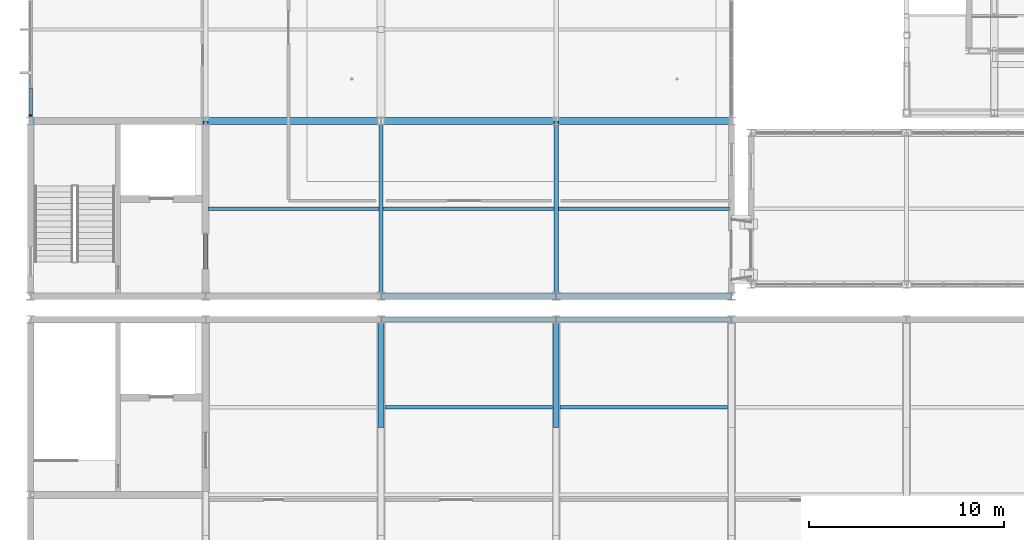
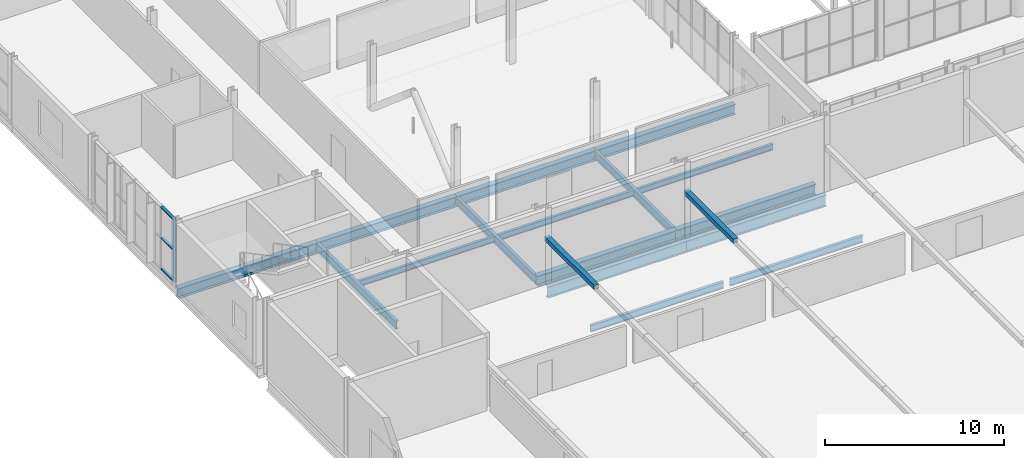
# One storey, part 28 of 134: 16 beams, 6 members, 1 element without a shape of its own.
"""IFC4 building model written with IfcOpenShell, lengths in metres."""

from ifc_helpers import new_model, si_unit, direction, frame, origin, origin_2d, place, context, subcontext, project, spatial, rectangle, hollow_rectangle, i_section, extrude, material, layer, layer_set, material_profile, profile_set, type_object, element, aggregate, save


model = new_model("IFC4")

# Units and contexts
model_context = context("Model", 3, precision=1e-05, world=origin(), true_north=direction((0.0, 1.0)))
body_context = subcontext(model_context, "Body", "Model", "MODEL_VIEW")
ifc_project = project(units=[si_unit("LENGTHUNIT", "METRE"), si_unit("AREAUNIT", "SQUARE_METRE"), si_unit("VOLUMEUNIT", "CUBIC_METRE"), si_unit("PLANEANGLEUNIT", "RADIAN"), si_unit("MASSUNIT", "GRAM", prefix="KILO")], contexts=[model_context])

# Site, building, storey
site_placement = place(None, origin())
site = spatial("IfcSite", under=ifc_project, at=site_placement, CompositionType="ELEMENT")
building_placement = place(site_placement, origin())
building = spatial("IfcBuilding", under=site, at=building_placement, Name="Cazmaro Siding Exhibition Halls", CompositionType="ELEMENT")
storey_placement = place(building_placement, frame((0.0, 0.0, 12.0)))
storey = spatial("IfcBuildingStorey", under=building, at=storey_placement, Name="L02", CompositionType="ELEMENT", Elevation=12.0)

# Beams
ifc_material_1 = material(Name="Steel ASTM A992 Grade 50", Category="steel")
ifc_material_profile_1 = material_profile(ifc_material_1, i_section(OverallWidth=0.214111328125, OverallDepth=0.549072265625, WebThickness=0.014892578125, FlangeThickness=0.02392578125, at=origin_2d()), Name="W21X93")
ifc_profile_set_1 = profile_set([ifc_material_profile_1], Name="Steel ASTM A992 Grade 50")
beam_type_1 = type_object("IfcBeamType", Name="B-01", PredefinedType="BEAM", material=ifc_profile_set_1)
for number, where, z_axis, x_axis, name in (
    (1, (9.0, 54.60009765625, -0.4951171875), (0.0, 1.0, 0.0), (-1.0, 0.0, 0.0), "Beam B-01 BM-2124"),
    (2, (18.0, 54.60009765625, -0.4951171875), (0.0, 1.0, 0.0), (-1.0, 0.0, 0.0), "Beam B-01 BM-2132"),
    (3, (27.0, 54.60009765625, -0.4951171875), (0.0, 1.0, 0.0), (-1.0, 0.0, 0.0), "Beam B-01 BM-2140"),
):
    element("IfcBeam", number, at=place(storey_placement, frame(where, z_axis=z_axis, x_axis=x_axis)), inside=storey, type_object=beam_type_1, Name=name, PredefinedType="BEAM", context=body_context, shape_type="SweptSolid", body=[
        extrude(i_section(OverallWidth=0.214111328125, OverallDepth=0.549072265625, WebThickness=0.014892578125, FlangeThickness=0.02392578125, at=origin_2d()), origin(), (0.0, 0.0, 1.0), 9.0),
    ])
ifc_material_2 = material(Name="Steel ASTM A992 Grade 50", Category="steel")
ifc_material_profile_2 = material_profile(ifc_material_2, i_section(OverallWidth=0.26708984375, OverallDepth=0.779052734375, WebThickness=0.01708984375, FlangeThickness=0.02490234375, at=origin_2d()), Name="W30X148")
ifc_profile_set_2 = profile_set([ifc_material_profile_2], Name="Steel ASTM A992 Grade 50")
beam_type_2 = type_object("IfcBeamType", Name="B-05", PredefinedType="BEAM", material=ifc_profile_set_2)
for number, where, z_axis, x_axis, name in (
    (4, (36.0, 53.39990234375, -0.638916015625), (-1.0, 0.0, 0.0), (0.0, -1.0, 0.0), "Beam B-05 BM-1754"),
    (5, (27.0, 53.39990234375, -0.638916015625), (-1.0, 0.0, 0.0), (0.0, -1.0, 0.0), "Beam B-05 BM-1756"),
):
    element("IfcBeam", number, at=place(storey_placement, frame(where, z_axis=z_axis, x_axis=x_axis)), inside=storey, type_object=beam_type_2, Name=name, PredefinedType="BEAM", context=body_context, shape_type="SweptSolid", body=[
        extrude(i_section(OverallWidth=0.26708984375, OverallDepth=0.779052734375, WebThickness=0.01708984375, FlangeThickness=0.02490234375, at=origin_2d()), origin(), (0.0, 0.0, 1.0), 9.0),
    ])

# Curtain wall, members
ifc_material_3 = material(Name="Anodized Bronze Aluminum and Solar-Control Low-E Glazing", Category="aluminium")
ifc_layer = layer(ifc_material_3, 0.199951171875)
ifc_layer_set = layer_set([ifc_layer], Name="Anodized Bronze Aluminum and Solar-Control Low-E Glazing")
curtain_wall_type = type_object("IfcCurtainWallType", Name="CWS-02", PredefinedType="USERDEFINED", material=ifc_layer_set)
curtain_wall_placement = place(storey_placement, origin())
curtain_wall = element("IfcCurtainWall", 6, at=curtain_wall_placement, inside=storey, type_object=curtain_wall_type, Name="Glazed Curtain Wall CWS-02 CW-236", ObjectType="GLAZED CURTAIN WALL", PredefinedType="USERDEFINED")
ifc_material_4 = material(Name="Anodized Bronze Extruded Aluminum", Category="aluminium")
ifc_material_profile_3 = material_profile(ifc_material_4, rectangle(XDim=0.199951171875, YDim=0.06494140625, at=origin_2d()), Name="CWM-02")
ifc_profile_set_3 = profile_set([ifc_material_profile_3], Name="Anodized Bronze Extruded Aluminum")
member_type_1 = type_object("IfcMemberType", Name="CWM-02", PredefinedType="MULLION", material=ifc_profile_set_3)
member_1_placement = place(storey_placement, frame((0.0, 63.87744140625, 0.0), z_axis=(0.0, 0.0, 1.0), x_axis=(1.0, 0.0, 0.0)))
member_1 = element("IfcMember", 7, at=member_1_placement, type_object=member_type_1, Name="CWS-02 mullion 7", PredefinedType="MULLION", context=body_context, shape_type="SweptSolid", body=[
    extrude(rectangle(XDim=0.199951171875, YDim=0.06494140625, at=origin_2d()), origin(), (0.0, 0.0, 1.0), 4.280029296875),
])
ifc_material_5 = material(Name="Anodized Bronze Extruded Aluminum", Category="aluminium")
ifc_material_profile_4 = material_profile(ifc_material_5, rectangle(XDim=0.179931640625, YDim=0.06494140625, at=origin_2d()), Name="CWT-02")
ifc_profile_set_4 = profile_set([ifc_material_profile_4], Name="Anodized Bronze Extruded Aluminum")
member_type_2 = type_object("IfcMemberType", Name="CWT-02", PredefinedType="MULLION", material=ifc_profile_set_4)
member_2_placement = place(storey_placement, frame((0.0, 65.297607421875, 0.032470703125), z_axis=(0.0, -1.0, 0.0), x_axis=(1.0, 0.0, 0.0)))
member_2 = element("IfcMember", 8, at=member_2_placement, type_object=member_type_2, Name="CWS-02 transom 6.1", ObjectType="TRANSOM", PredefinedType="USERDEFINED", context=body_context, shape_type="SweptSolid", body=[
    extrude(rectangle(XDim=0.179931640625, YDim=0.06494140625, at=origin_2d()), origin(), (0.0, 0.0, 1.0), 1.3876953125),
])
member_3_placement = place(storey_placement, frame((0.0, 65.297607421875, 2.139892578125), z_axis=(0.0, -1.0, 0.0), x_axis=(1.0, 0.0, 0.0)))
member_3 = element("IfcMember", 9, at=member_3_placement, type_object=member_type_2, Name="CWS-02 transom 6.2", ObjectType="TRANSOM", PredefinedType="USERDEFINED", context=body_context, shape_type="SweptSolid", body=[
    extrude(rectangle(XDim=0.179931640625, YDim=0.06494140625, at=origin_2d()), origin(), (0.0, 0.0, 1.0), 1.3876953125),
])
member_4_placement = place(storey_placement, frame((0.0, 65.297607421875, 4.24755859375), z_axis=(0.0, -1.0, 0.0), x_axis=(1.0, 0.0, 0.0)))
member_4 = element("IfcMember", 10, at=member_4_placement, type_object=member_type_2, Name="CWS-02 transom 6.3", ObjectType="TRANSOM", PredefinedType="USERDEFINED", context=body_context, shape_type="SweptSolid", body=[
    extrude(rectangle(XDim=0.179931640625, YDim=0.06494140625, at=origin_2d()), origin(), (0.0, 0.0, 1.0), 1.3876953125),
])
aggregate(curtain_wall, [member_1, member_2, member_3, member_4])

# Beams
ifc_material_6 = material(Name="Steel ASTM A992 Grade 50", Category="steel")
ifc_material_profile_5 = material_profile(ifc_material_6, i_section(OverallWidth=0.35595703125, OverallDepth=0.696044921875, WebThickness=0.014892578125, FlangeThickness=0.02490234375, at=origin_2d()), Name="W27X146")
ifc_profile_set_5 = profile_set([ifc_material_profile_5], Name="Steel ASTM A992 Grade 50")
beam_type_3 = type_object("IfcBeamType", Name="G-05", PredefinedType="USERDEFINED", material=ifc_profile_set_5)
for number, where, z_axis, x_axis, name in (
    (11, (0.0, 63.60009765625, -0.568115234375), (1.0, 0.0, 0.0), (0.0, 1.0, 0.0), "Beam G-05 BM-2051"),
    (12, (9.0, 63.60009765625, -0.568115234375), (1.0, 0.0, 0.0), (0.0, 1.0, 0.0), "Beam G-05 BM-2066"),
    (13, (18.0, 54.60009765625, -0.568115234375), (1.0, 0.0, 0.0), (0.0, 1.0, 0.0), "Beam G-05 BM-2082"),
    (14, (18.0, 63.60009765625, -0.568115234375), (1.0, 0.0, 0.0), (0.0, 1.0, 0.0), "Beam G-05 BM-2083"),
    (15, (27.0, 54.60009765625, -0.568115234375), (1.0, 0.0, 0.0), (0.0, 1.0, 0.0), "Beam G-05 BM-2099"),
    (16, (27.0, 63.60009765625, -0.568115234375), (1.0, 0.0, 0.0), (0.0, 1.0, 0.0), "Beam G-05 BM-2100"),
):
    element("IfcBeam", number, at=place(storey_placement, frame(where, z_axis=z_axis, x_axis=x_axis)), inside=storey, type_object=beam_type_3, Name=name, ObjectType="GIRDER", PredefinedType="USERDEFINED", context=body_context, shape_type="SweptSolid", body=[
        extrude(i_section(OverallWidth=0.35595703125, OverallDepth=0.696044921875, WebThickness=0.014892578125, FlangeThickness=0.02490234375, at=origin_2d()), origin(), (0.0, 0.0, 1.0), 9.0),
    ])
ifc_material_7 = material(Name="Steel ASTM A992 Grade 50", Category="steel")
ifc_material_profile_6 = material_profile(ifc_material_7, i_section(OverallWidth=0.19091796875, OverallDepth=0.45703125, WebThickness=0.009033203125, FlangeThickness=0.013916015625, at=origin_2d()), Name="W18X50")
ifc_profile_set_6 = profile_set([ifc_material_profile_6], Name="Steel ASTM A992 Grade 50")
beam_type_4 = type_object("IfcBeamType", Name="J-01", PredefinedType="JOIST", material=ifc_profile_set_6)
for number, where, z_axis, x_axis, name in (
    (17, (18.201904296875, 48.89990234375, -0.47900390625), (1.0, 0.0, 0.0), (0.0, 1.0, 0.0), "Beam J-01 BM-1872"),
    (18, (27.201904296875, 48.89990234375, -0.47900390625), (1.0, 0.0, 0.0), (0.0, 1.0, 0.0), "Beam J-01 BM-1873"),
):
    element("IfcBeam", number, at=place(storey_placement, frame(where, z_axis=z_axis, x_axis=x_axis)), inside=storey, type_object=beam_type_4, Name=name, PredefinedType="JOIST", context=body_context, shape_type="SweptSolid", body=[
        extrude(i_section(OverallWidth=0.19091796875, OverallDepth=0.45703125, WebThickness=0.009033203125, FlangeThickness=0.013916015625, at=origin_2d()), origin(), (0.0, 0.0, 1.0), 8.59619140625),
    ])
ifc_material_8 = material(Name="Steel ASTM A992 Grade 50", Category="steel")
ifc_material_profile_7 = material_profile(ifc_material_8, i_section(OverallWidth=0.177978515625, OverallDepth=0.406005859375, WebThickness=0.008056640625, FlangeThickness=0.012939453125, at=origin_2d()), Name="W16X40")
ifc_profile_set_7 = profile_set([ifc_material_profile_7], Name="Steel ASTM A992 Grade 50")
beam_type_5 = type_object("IfcBeamType", Name="J-02", PredefinedType="JOIST", material=ifc_profile_set_7)
for number, where, z_axis, x_axis, name in (
    (19, (9.10693359375, 59.10009765625, -0.423095703125), (1.0, 0.0, 0.0), (0.0, 1.0, 0.0), "Beam J-02 BM-2074"),
    (20, (18.10693359375, 59.10009765625, -0.423095703125), (1.0, 0.0, 0.0), (0.0, 1.0, 0.0), "Beam J-02 BM-2091"),
    (21, (27.10693359375, 59.10009765625, -0.423095703125), (1.0, 0.0, 0.0), (0.0, 1.0, 0.0), "Beam J-02 BM-2108"),
):
    element("IfcBeam", number, at=place(storey_placement, frame(where, z_axis=z_axis, x_axis=x_axis)), inside=storey, type_object=beam_type_5, Name=name, PredefinedType="JOIST", context=body_context, shape_type="SweptSolid", body=[
        extrude(i_section(OverallWidth=0.177978515625, OverallDepth=0.406005859375, WebThickness=0.008056640625, FlangeThickness=0.012939453125, at=origin_2d()), origin(), (0.0, 0.0, 1.0), 8.7861328125),
    ])

# Members
ifc_material_9 = material(Name="Steel ASTM A500 Grade C", Category="steel")
ifc_material_profile_8 = material_profile(ifc_material_9, hollow_rectangle(XDim=0.304931640625, YDim=0.304931640625, WallThickness=0.014892578125, at=origin_2d()), Name="HSS12X12X5/8")
ifc_profile_set_8 = profile_set([ifc_material_profile_8], Name="Steel ASTM A500 Grade C")
member_type_3 = type_object("IfcMemberType", Name="TC-02", PredefinedType="CHORD", material=ifc_profile_set_8)
for number, where, z_axis, x_axis, name in (
    (22, (18.0, 47.85009765625, 3.050048828125), (0.0, 1.0, 0.0), (-1.0, 0.0, 0.0), "Congress folded roof bottom chord TC-02 MEM-3297"),
    (23, (27.0, 47.85009765625, 3.050048828125), (0.0, 1.0, 0.0), (-1.0, 0.0, 0.0), "Congress folded roof bottom chord TC-02 MEM-3328"),
):
    element("IfcMember", number, at=place(storey_placement, frame(where, z_axis=z_axis, x_axis=x_axis)), inside=storey, type_object=member_type_3, Name=name, PredefinedType="CHORD", context=body_context, shape_type="SweptSolid", body=[
        extrude(hollow_rectangle(XDim=0.304931640625, YDim=0.304931640625, WallThickness=0.014892578125, at=origin_2d()), origin(), (0.0, 0.0, 1.0), 5.5498046875),
    ])

save(model, "model.ifc")
